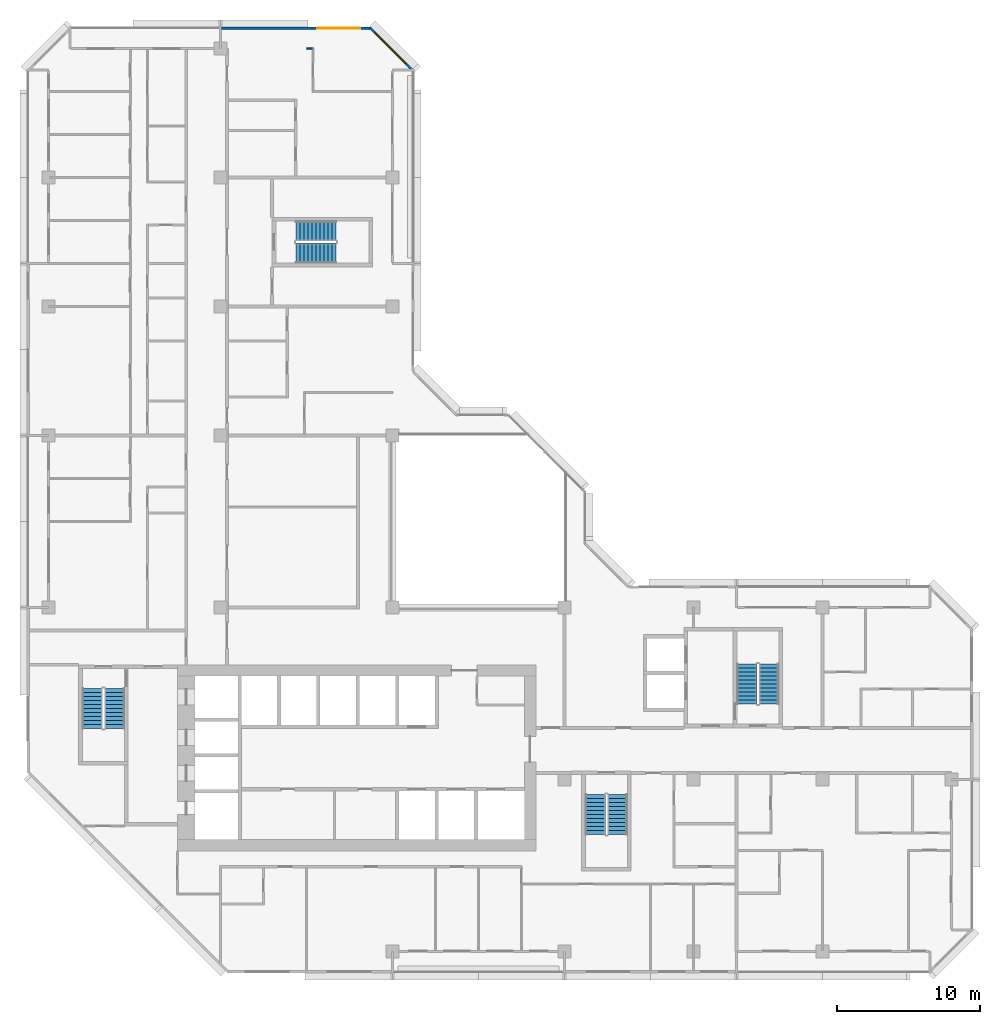
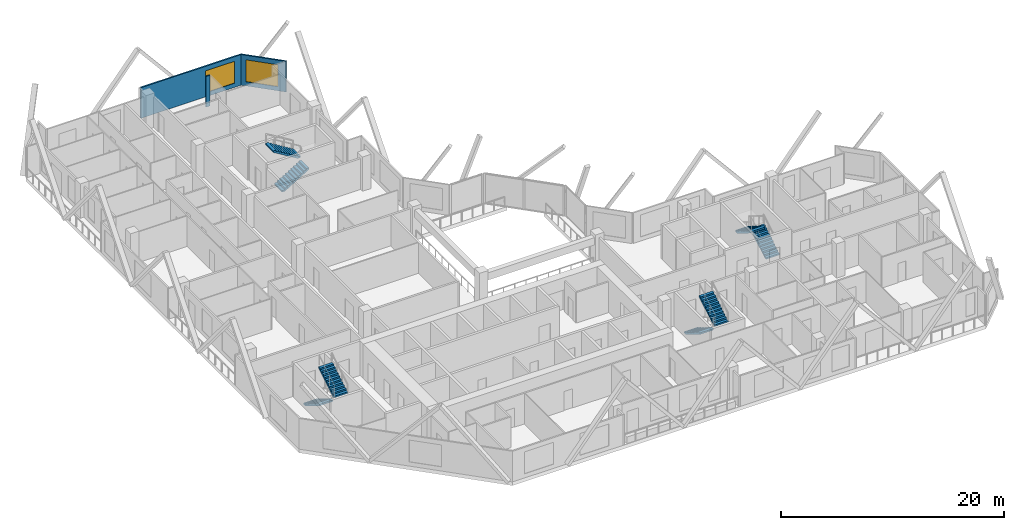
# One storey, part 13 of 15: 8 stair flights, 3 walls, 2 windows, 2 openings, 4 elements without a shape of their own.
"""IFC4 building model written with IfcOpenShell, lengths in metres."""

from ifc_helpers import new_model, si_unit, direction, frame, frame_2d, origin, place, context, subcontext, project, spatial, polyline, rectangle, outline, extrude, material, layer, layer_set, type_object, element, fill, aggregate, save


model = new_model("IFC4")

# Units and contexts
model_context = context("Model", 3, precision=1e-05, world=origin(), true_north=direction((0.0, 1.0)))
body_context = subcontext(model_context, "Body", "Model", "MODEL_VIEW")
ifc_project = project(units=[si_unit("LENGTHUNIT", "METRE"), si_unit("AREAUNIT", "SQUARE_METRE"), si_unit("VOLUMEUNIT", "CUBIC_METRE"), si_unit("PLANEANGLEUNIT", "RADIAN"), si_unit("MASSUNIT", "GRAM", prefix="KILO")], contexts=[model_context])

# Site, building, storey
site_placement = place(None, origin())
site = spatial("IfcSite", under=ifc_project, at=site_placement, CompositionType="ELEMENT")
building_placement = place(site_placement, origin())
building = spatial("IfcBuilding", under=site, at=building_placement, Name="Chenar Terraces", CompositionType="ELEMENT")
storey_placement = place(building_placement, frame((0.0, 0.0, 187.39990234375)))
storey = spatial("IfcBuildingStorey", under=building, at=storey_placement, Name="L43", CompositionType="ELEMENT", Elevation=187.39990234375)

# Wall, opening, window
ifc_material_1 = material(Name="Aluminium framed glazing", Category="aluminium")
ifc_layer_1 = layer(ifc_material_1, 0.14990234375)
ifc_layer_set_1 = layer_set([ifc_layer_1], Name="Aluminium framed glazing")
wall_type_1 = type_object("IfcWallType", Name="Glazed flush facade wall 150", PredefinedType="SOLIDWALL", material=ifc_layer_set_1)
wall_1_placement = place(storey_placement, frame((22.5, 64.425048828125, 0.0), z_axis=(0.0, 0.0, 1.0), x_axis=(-1.0, 0.0, 0.0)))
wall_1 = element("IfcWall", 1, at=wall_1_placement, inside=storey, type_object=wall_type_1, Name="Glazed flush facade wall", PredefinedType="SOLIDWALL", context=body_context, shape_type="SweptSolid", body=[
    extrude(rectangle(XDim=10.425048828125, YDim=0.14990234375, at=frame_2d((5.21240234375, 0.0))), origin(), (0.0, 0.0, 1.0), 3.35009765625),
])
opening_1_placement = place(wall_1_placement, frame((0.75, 0.0, 0.449951171875)))
opening_1 = element("IfcOpeningElement", 2, at=opening_1_placement, cuts=wall_1, Name="Opening W300x240", PredefinedType="OPENING", context=body_context, shape_type="SweptSolid", body=[
    extrude(rectangle(XDim=3.0, YDim=2.39990234375, at=frame_2d((1.5, 1.199951171875))), frame((0.0, 0.0849609375, 0.0), z_axis=(0.0, -1.0, 0.0), x_axis=(1.0, 0.0, 0.0)), (0.0, 0.0, 1.0), 0.169921875),
])
ifc_material_2 = material(Name="Low emissivity double glazing, aluminium frame", Category="aluminium")
window_type = type_object("IfcWindowType", Name="Fixed light 3000 x 2400", PartitioningType="SINGLE_PANEL", PredefinedType="WINDOW", material=ifc_material_2)
window_1_placement = place(opening_1_placement, origin())
window_1 = element("IfcWindow", 3, at=window_1_placement, inside=storey, type_object=window_type, Name="Window", OverallHeight=2.39990234375, OverallWidth=3.0, PartitioningType="SINGLE_PANEL", PredefinedType="WINDOW", context=body_context, shape_type="SweptSolid", body=[
    extrude(rectangle(XDim=3.0, YDim=2.39990234375, at=frame_2d((1.5, 1.199951171875))), frame((0.0, 0.030029296875, 0.0), z_axis=(0.0, -1.0, 0.0), x_axis=(1.0, 0.0, 0.0)), (0.0, 0.0, 1.0), 0.06005859375),
])
fill(opening_1, window_1)

# Wall
ifc_material_3 = material(Name="Gypsum board on steel studs", Category="steel")
ifc_layer_2 = layer(ifc_material_3, 0.10009765625)
ifc_layer_set_2 = layer_set([ifc_layer_2], Name="Gypsum board on steel studs")
wall_type_2 = type_object("IfcWallType", Name="Gypsum partition 100", PredefinedType="PARTITIONING", material=ifc_layer_set_2)
wall_2_placement = place(storey_placement, frame((18.0, 63.0, 0.0), z_axis=(0.0, 0.0, 1.0), x_axis=(1.0, 0.0, 0.0)))
element("IfcWall", 4, at=wall_2_placement, inside=storey, type_object=wall_type_2, Name="Partition L43-051", PredefinedType="PARTITIONING", context=body_context, shape_type="SweptSolid", body=[
    extrude(rectangle(XDim=0.39990234375, YDim=0.10009765625, at=frame_2d((0.199951171875, 0.0))), origin(), (0.0, 0.0, 1.0), 3.35009765625),
])

# Wall, opening, window
ifc_material_4 = material(Name="Terracotta cladding on insulated backing", Category="masonry")
ifc_layer_3 = layer(ifc_material_4, 0.14990234375)
ifc_layer_set_3 = layer_set([ifc_layer_3], Name="Terracotta cladding on insulated backing")
wall_type_3 = type_object("IfcWallType", Name="Terracotta rainscreen wall 150", PredefinedType="SOLIDWALL", material=ifc_layer_set_3)
wall_3_placement = place(storey_placement, frame((25.447021484375, 61.447021484375, 0.0), z_axis=(0.0, 0.0, 1.0), x_axis=(-0.707106781187, 0.707106781187, 0.0)))
wall_3 = element("IfcWall", 5, at=wall_3_placement, inside=storey, type_object=wall_type_3, Name="Terracotta rainscreen wall", PredefinedType="SOLIDWALL", context=body_context, shape_type="SweptSolid", body=[
    extrude(rectangle(XDim=4.24267578125, YDim=0.14990234375, at=frame_2d((2.121337890625, 0.0))), origin(), (0.0, 0.0, 1.0), 3.35009765625),
])
opening_2_placement = place(wall_3_placement, frame((0.744384765625, 0.0, 0.449951171875)))
opening_2 = element("IfcOpeningElement", 6, at=opening_2_placement, cuts=wall_3, Name="Opening W300x240", PredefinedType="OPENING", context=body_context, shape_type="SweptSolid", body=[
    extrude(rectangle(XDim=3.0, YDim=2.39990234375, at=frame_2d((1.5, 1.199951171875))), frame((0.0, 0.0849609375, 0.0), z_axis=(0.0, -1.0, 0.0), x_axis=(1.0, 0.0, 0.0)), (0.0, 0.0, 1.0), 0.169921875),
])
window_2_placement = place(opening_2_placement, origin())
window_2 = element("IfcWindow", 7, at=window_2_placement, inside=storey, type_object=window_type, Name="Window", OverallHeight=2.39990234375, OverallWidth=3.0, PartitioningType="SINGLE_PANEL", PredefinedType="WINDOW", context=body_context, shape_type="SweptSolid", body=[
    extrude(rectangle(XDim=3.0, YDim=2.39990234375, at=frame_2d((1.5, 1.199951171875))), frame((0.0, 0.030029296875, 0.0), z_axis=(0.0, -1.0, 0.0), x_axis=(1.0, 0.0, 0.0)), (0.0, 0.0, 1.0), 0.06005859375),
])
fill(opening_2, window_2)

# Stair, stair flights
ifc_material_5 = material(Name="Reinforced concrete C40/50", Category="concrete")
stair_type = type_object("IfcStairType", Name="Core stair 1400 half-turn", PredefinedType="HALF_TURN_STAIR", material=ifc_material_5)
placement = place(storey_placement, origin())
stair_1 = element("IfcStair", 8, at=placement, inside=storey, type_object=stair_type, Name="L43 Stair 1", PredefinedType="HALF_TURN_STAIR")
ifc_material_6 = material(Name="Reinforced concrete C40/50", Category="concrete")
stair_flight_type = type_object("IfcStairFlightType", Name="Core stair flight 1400", PredefinedType="STRAIGHT", material=ifc_material_6)
stair_flight_1_placement = place(storey_placement, frame((3.050048828125, 18.35009765625, 0.0), z_axis=(0.0, 0.0, 1.0), x_axis=(0.0, -1.0, 0.0)))
stair_flight_1 = element("IfcStairFlight", 9, at=stair_flight_1_placement, type_object=stair_flight_type, Name="ST1 flight 1", NumberOfRisers=11, NumberOfTreads=10, PredefinedType="STRAIGHT", RiserHeight=0.170454545, TreadLength=0.28, context=body_context, shape_type="SweptSolid", body=[
    extrude(outline(polyline([(-0.0029296875, 0.0), (-0.0029296875, 0.17041015625), (0.0, 0.17041015625), (0.280029296875, 0.17041015625), (0.280029296875, 0.3408203125), (0.56005859375, 0.3408203125), (0.56005859375, 0.511474609375), (0.840087890625, 0.511474609375), (0.840087890625, 0.681884765625), (1.1201171875, 0.681884765625), (1.1201171875, 0.852294921875), (1.39990234375, 0.852294921875), (1.39990234375, 1.022705078125), (1.679931640625, 1.022705078125), (1.679931640625, 1.193115234375), (1.9599609375, 1.193115234375), (1.9599609375, 1.363525390625), (2.239990234375, 1.363525390625), (2.239990234375, 1.5341796875), (2.52001953125, 1.5341796875), (2.52001953125, 1.70458984375), (2.800048828125, 1.70458984375), (2.802978515625, 1.70458984375), (2.802978515625, 1.529052734375), (2.800048828125, 1.529052734375), (0.288330078125, 0.0), (-0.0029296875, 0.0)])), frame((0.0, 0.699951171875, 0.0), z_axis=(0.0, -1.0, 0.0), x_axis=(1.0, 0.0, 0.0)), (0.0, 0.0, 1.0), 1.39990234375),
])
stair_flight_2_placement = place(storey_placement, frame((4.60009765625, 15.550048828125, 1.875), z_axis=(0.0, 0.0, 1.0), x_axis=(0.0, 1.0, 0.0)))
stair_flight_2 = element("IfcStairFlight", 10, at=stair_flight_2_placement, type_object=stair_flight_type, Name="ST1 flight 2", NumberOfRisers=11, NumberOfTreads=10, PredefinedType="STRAIGHT", RiserHeight=0.170454545, TreadLength=0.28, context=body_context, shape_type="SweptSolid", body=[
    extrude(outline(polyline([(-0.0029296875, 0.0), (-0.0029296875, 0.17041015625), (0.0, 0.17041015625), (0.280029296875, 0.17041015625), (0.280029296875, 0.3408203125), (0.56005859375, 0.3408203125), (0.56005859375, 0.511474609375), (0.840087890625, 0.511474609375), (0.840087890625, 0.681884765625), (1.1201171875, 0.681884765625), (1.1201171875, 0.852294921875), (1.39990234375, 0.852294921875), (1.39990234375, 1.022705078125), (1.679931640625, 1.022705078125), (1.679931640625, 1.193115234375), (1.9599609375, 1.193115234375), (1.9599609375, 1.363525390625), (2.239990234375, 1.363525390625), (2.239990234375, 1.5341796875), (2.52001953125, 1.5341796875), (2.52001953125, 1.70458984375), (2.800048828125, 1.70458984375), (2.802978515625, 1.70458984375), (2.802978515625, 1.529052734375), (2.800048828125, 1.529052734375), (0.288330078125, 0.0), (-0.0029296875, 0.0)])), frame((0.0, 0.699951171875, 0.0), z_axis=(0.0, -1.0, 0.0), x_axis=(1.0, 0.0, 0.0)), (0.0, 0.0, 1.0), 1.39990234375),
])
aggregate(stair_1, [stair_flight_1, stair_flight_2])

stair_2 = element("IfcStair", 11, at=placement, inside=storey, type_object=stair_type, Name="L43 Stair 2", PredefinedType="HALF_TURN_STAIR")
stair_flight_3_placement = place(storey_placement, frame((38.14990234375, 10.949951171875, 0.0), z_axis=(0.0, 0.0, 1.0), x_axis=(0.0, -1.0, 0.0)))
stair_flight_3 = element("IfcStairFlight", 12, at=stair_flight_3_placement, type_object=stair_flight_type, Name="ST2 flight 1", NumberOfRisers=11, NumberOfTreads=10, PredefinedType="STRAIGHT", RiserHeight=0.170454545, TreadLength=0.28, context=body_context, shape_type="SweptSolid", body=[
    extrude(outline(polyline([(-0.0029296875, 0.0), (-0.0029296875, 0.17041015625), (0.0, 0.17041015625), (0.280029296875, 0.17041015625), (0.280029296875, 0.3408203125), (0.56005859375, 0.3408203125), (0.56005859375, 0.511474609375), (0.840087890625, 0.511474609375), (0.840087890625, 0.681884765625), (1.1201171875, 0.681884765625), (1.1201171875, 0.852294921875), (1.39990234375, 0.852294921875), (1.39990234375, 1.022705078125), (1.679931640625, 1.022705078125), (1.679931640625, 1.193115234375), (1.9599609375, 1.193115234375), (1.9599609375, 1.363525390625), (2.239990234375, 1.363525390625), (2.239990234375, 1.5341796875), (2.52001953125, 1.5341796875), (2.52001953125, 1.70458984375), (2.800048828125, 1.70458984375), (2.802978515625, 1.70458984375), (2.802978515625, 1.529052734375), (2.800048828125, 1.529052734375), (0.288330078125, 0.0), (-0.0029296875, 0.0)])), frame((0.0, 0.699951171875, 0.0), z_axis=(0.0, -1.0, 0.0), x_axis=(1.0, 0.0, 0.0)), (0.0, 0.0, 1.0), 1.39990234375),
])
stair_flight_4_placement = place(storey_placement, frame((39.699951171875, 8.14990234375, 1.875), z_axis=(0.0, 0.0, 1.0), x_axis=(0.0, 1.0, 0.0)))
stair_flight_4 = element("IfcStairFlight", 13, at=stair_flight_4_placement, type_object=stair_flight_type, Name="ST2 flight 2", NumberOfRisers=11, NumberOfTreads=10, PredefinedType="STRAIGHT", RiserHeight=0.170454545, TreadLength=0.28, context=body_context, shape_type="SweptSolid", body=[
    extrude(outline(polyline([(-0.0029296875, 0.0), (-0.0029296875, 0.17041015625), (0.0, 0.17041015625), (0.280029296875, 0.17041015625), (0.280029296875, 0.3408203125), (0.56005859375, 0.3408203125), (0.56005859375, 0.511474609375), (0.840087890625, 0.511474609375), (0.840087890625, 0.681884765625), (1.1201171875, 0.681884765625), (1.1201171875, 0.852294921875), (1.39990234375, 0.852294921875), (1.39990234375, 1.022705078125), (1.679931640625, 1.022705078125), (1.679931640625, 1.193115234375), (1.9599609375, 1.193115234375), (1.9599609375, 1.363525390625), (2.239990234375, 1.363525390625), (2.239990234375, 1.5341796875), (2.52001953125, 1.5341796875), (2.52001953125, 1.70458984375), (2.800048828125, 1.70458984375), (2.802978515625, 1.70458984375), (2.802978515625, 1.529052734375), (2.800048828125, 1.529052734375), (0.288330078125, 0.0), (-0.0029296875, 0.0)])), frame((0.0, 0.699951171875, 0.0), z_axis=(0.0, -1.0, 0.0), x_axis=(1.0, 0.0, 0.0)), (0.0, 0.0, 1.0), 1.39990234375),
])
aggregate(stair_2, [stair_flight_3, stair_flight_4])

stair_3 = element("IfcStair", 14, at=placement, inside=storey, type_object=stair_type, Name="L43 Stair 3", PredefinedType="HALF_TURN_STAIR")
stair_flight_5_placement = place(storey_placement, frame((50.27490234375, 17.25, 0.0), z_axis=(0.0, 0.0, 1.0), x_axis=(0.0, 1.0, 0.0)))
stair_flight_5 = element("IfcStairFlight", 15, at=stair_flight_5_placement, type_object=stair_flight_type, Name="ST3 flight 1", NumberOfRisers=11, NumberOfTreads=10, PredefinedType="STRAIGHT", RiserHeight=0.170454545, TreadLength=0.28, context=body_context, shape_type="SweptSolid", body=[
    extrude(outline(polyline([(-0.0029296875, 0.0), (-0.0029296875, 0.17041015625), (0.0, 0.17041015625), (0.280029296875, 0.17041015625), (0.280029296875, 0.3408203125), (0.56005859375, 0.3408203125), (0.56005859375, 0.511474609375), (0.840087890625, 0.511474609375), (0.840087890625, 0.681884765625), (1.1201171875, 0.681884765625), (1.1201171875, 0.852294921875), (1.39990234375, 0.852294921875), (1.39990234375, 1.022705078125), (1.679931640625, 1.022705078125), (1.679931640625, 1.193115234375), (1.9599609375, 1.193115234375), (1.9599609375, 1.363525390625), (2.239990234375, 1.363525390625), (2.239990234375, 1.5341796875), (2.52001953125, 1.5341796875), (2.52001953125, 1.70458984375), (2.800048828125, 1.70458984375), (2.802978515625, 1.70458984375), (2.802978515625, 1.529052734375), (2.800048828125, 1.529052734375), (0.288330078125, 0.0), (-0.0029296875, 0.0)])), frame((0.0, 0.699951171875, 0.0), z_axis=(0.0, -1.0, 0.0), x_axis=(1.0, 0.0, 0.0)), (0.0, 0.0, 1.0), 1.39990234375),
])
stair_flight_6_placement = place(storey_placement, frame((48.72509765625, 20.050048828125, 1.875), z_axis=(0.0, 0.0, 1.0), x_axis=(0.0, -1.0, 0.0)))
stair_flight_6 = element("IfcStairFlight", 16, at=stair_flight_6_placement, type_object=stair_flight_type, Name="ST3 flight 2", NumberOfRisers=11, NumberOfTreads=10, PredefinedType="STRAIGHT", RiserHeight=0.170454545, TreadLength=0.28, context=body_context, shape_type="SweptSolid", body=[
    extrude(outline(polyline([(-0.0029296875, 0.0), (-0.0029296875, 0.17041015625), (0.0, 0.17041015625), (0.280029296875, 0.17041015625), (0.280029296875, 0.3408203125), (0.56005859375, 0.3408203125), (0.56005859375, 0.511474609375), (0.840087890625, 0.511474609375), (0.840087890625, 0.681884765625), (1.1201171875, 0.681884765625), (1.1201171875, 0.852294921875), (1.39990234375, 0.852294921875), (1.39990234375, 1.022705078125), (1.679931640625, 1.022705078125), (1.679931640625, 1.193115234375), (1.9599609375, 1.193115234375), (1.9599609375, 1.363525390625), (2.239990234375, 1.363525390625), (2.239990234375, 1.5341796875), (2.52001953125, 1.5341796875), (2.52001953125, 1.70458984375), (2.800048828125, 1.70458984375), (2.802978515625, 1.70458984375), (2.802978515625, 1.529052734375), (2.800048828125, 1.529052734375), (0.288330078125, 0.0), (-0.0029296875, 0.0)])), frame((0.0, 0.699951171875, 0.0), z_axis=(0.0, -1.0, 0.0), x_axis=(1.0, 0.0, 0.0)), (0.0, 0.0, 1.0), 1.39990234375),
])
aggregate(stair_3, [stair_flight_5, stair_flight_6])

stair_4 = element("IfcStair", 17, at=placement, inside=storey, type_object=stair_type, Name="L43 Stair 4", PredefinedType="HALF_TURN_STAIR")
stair_flight_7_placement = place(storey_placement, frame((17.25, 48.72509765625, 0.0), z_axis=(0.0, 0.0, 1.0), x_axis=(1.0, 0.0, 0.0)))
stair_flight_7 = element("IfcStairFlight", 18, at=stair_flight_7_placement, type_object=stair_flight_type, Name="ST4 flight 1", NumberOfRisers=11, NumberOfTreads=10, PredefinedType="STRAIGHT", RiserHeight=0.170454545, TreadLength=0.28, context=body_context, shape_type="SweptSolid", body=[
    extrude(outline(polyline([(-0.0029296875, 0.0), (-0.0029296875, 0.17041015625), (0.0, 0.17041015625), (0.280029296875, 0.17041015625), (0.280029296875, 0.3408203125), (0.56005859375, 0.3408203125), (0.56005859375, 0.511474609375), (0.840087890625, 0.511474609375), (0.840087890625, 0.681884765625), (1.1201171875, 0.681884765625), (1.1201171875, 0.852294921875), (1.39990234375, 0.852294921875), (1.39990234375, 1.022705078125), (1.679931640625, 1.022705078125), (1.679931640625, 1.193115234375), (1.9599609375, 1.193115234375), (1.9599609375, 1.363525390625), (2.239990234375, 1.363525390625), (2.239990234375, 1.5341796875), (2.52001953125, 1.5341796875), (2.52001953125, 1.70458984375), (2.800048828125, 1.70458984375), (2.802978515625, 1.70458984375), (2.802978515625, 1.529052734375), (2.800048828125, 1.529052734375), (0.288330078125, 0.0), (-0.0029296875, 0.0)])), frame((0.0, 0.699951171875, 0.0), z_axis=(0.0, -1.0, 0.0), x_axis=(1.0, 0.0, 0.0)), (0.0, 0.0, 1.0), 1.39990234375),
])
stair_flight_8_placement = place(storey_placement, frame((20.050048828125, 50.27490234375, 1.875), z_axis=(0.0, 0.0, 1.0), x_axis=(-1.0, 0.0, 0.0)))
stair_flight_8 = element("IfcStairFlight", 19, at=stair_flight_8_placement, type_object=stair_flight_type, Name="ST4 flight 2", NumberOfRisers=11, NumberOfTreads=10, PredefinedType="STRAIGHT", RiserHeight=0.170454545, TreadLength=0.28, context=body_context, shape_type="SweptSolid", body=[
    extrude(outline(polyline([(-0.0029296875, 0.0), (-0.0029296875, 0.17041015625), (0.0, 0.17041015625), (0.280029296875, 0.17041015625), (0.280029296875, 0.3408203125), (0.56005859375, 0.3408203125), (0.56005859375, 0.511474609375), (0.840087890625, 0.511474609375), (0.840087890625, 0.681884765625), (1.1201171875, 0.681884765625), (1.1201171875, 0.852294921875), (1.39990234375, 0.852294921875), (1.39990234375, 1.022705078125), (1.679931640625, 1.022705078125), (1.679931640625, 1.193115234375), (1.9599609375, 1.193115234375), (1.9599609375, 1.363525390625), (2.239990234375, 1.363525390625), (2.239990234375, 1.5341796875), (2.52001953125, 1.5341796875), (2.52001953125, 1.70458984375), (2.800048828125, 1.70458984375), (2.802978515625, 1.70458984375), (2.802978515625, 1.529052734375), (2.800048828125, 1.529052734375), (0.288330078125, 0.0), (-0.0029296875, 0.0)])), frame((0.0, 0.699951171875, 0.0), z_axis=(0.0, -1.0, 0.0), x_axis=(1.0, 0.0, 0.0)), (0.0, 0.0, 1.0), 1.39990234375),
])
aggregate(stair_4, [stair_flight_7, stair_flight_8])

save(model, "model.ifc")
